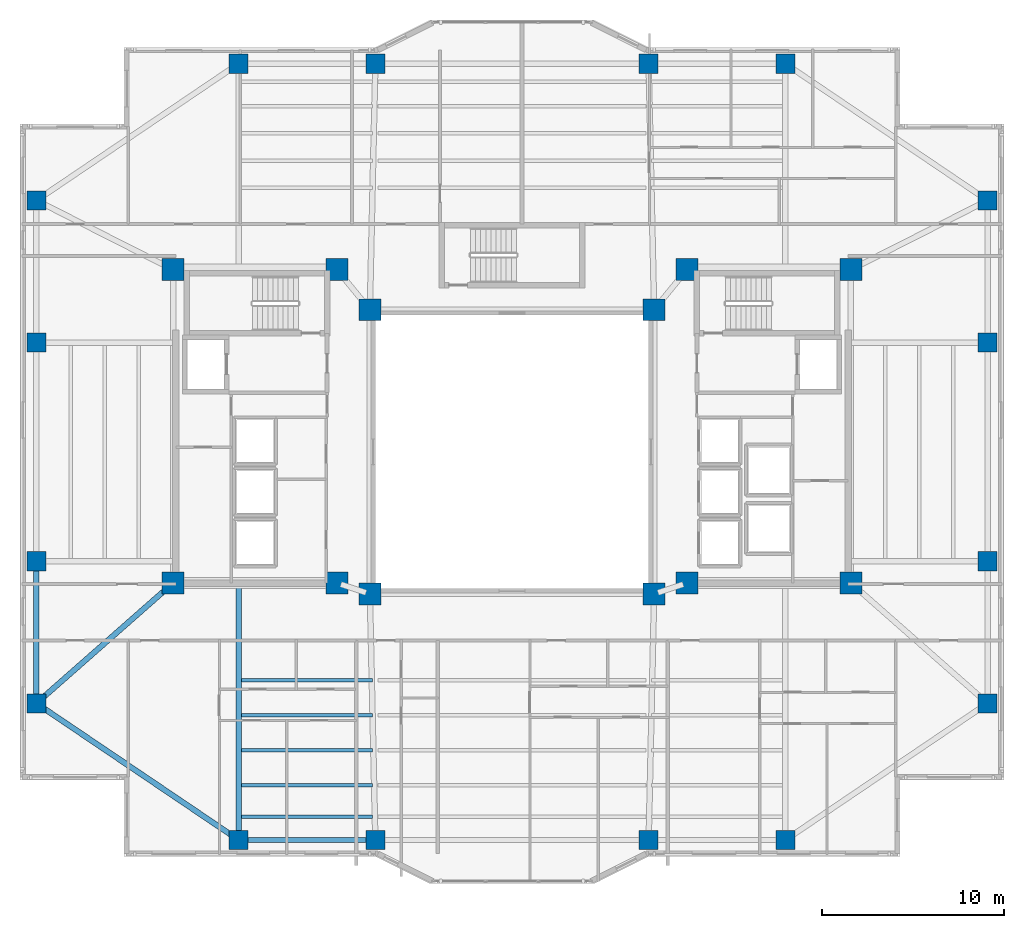
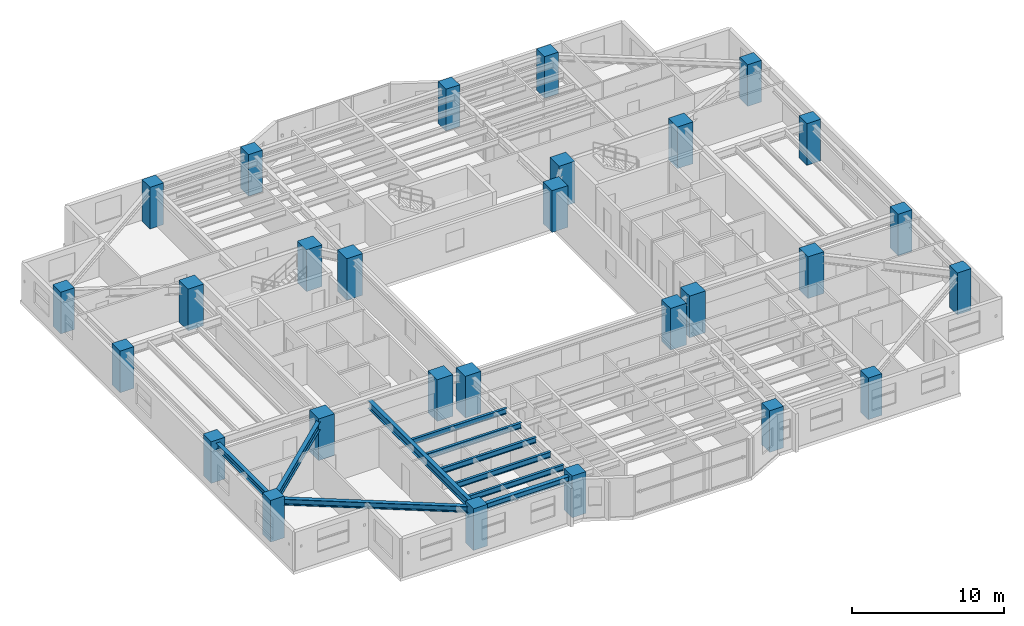
# One storey, part 1 of 18: 28 columns, 10 beams.
"""IFC4 building model written with IfcOpenShell, lengths in metres."""

from ifc_helpers import new_model, si_unit, direction, frame, origin, origin_2d, place, context, subcontext, project, spatial, rectangle, i_section, extrude, material, material_profile, profile_set, type_object, element, save


model = new_model("IFC4")

# Units and contexts
model_context = context("Model", 3, precision=1e-05, world=origin(), true_north=direction((0.0, 1.0)))
body_context = subcontext(model_context, "Body", "Model", "MODEL_VIEW")
ifc_project = project(units=[si_unit("LENGTHUNIT", "METRE"), si_unit("AREAUNIT", "SQUARE_METRE"), si_unit("VOLUMEUNIT", "CUBIC_METRE"), si_unit("PLANEANGLEUNIT", "RADIAN"), si_unit("MASSUNIT", "GRAM", prefix="KILO")], contexts=[model_context])

# Site, building, storey
site_placement = place(None, origin())
site = spatial("IfcSite", under=ifc_project, at=site_placement, CompositionType="ELEMENT")
building_placement = place(site_placement, origin())
building = spatial("IfcBuilding", under=site, at=building_placement, Name="Tarnavaz Court Tower", CompositionType="ELEMENT")
storey_placement = place(building_placement, frame((0.0, 0.0, 85.0)))
storey = spatial("IfcBuildingStorey", under=building, at=storey_placement, Name="L22", CompositionType="ELEMENT", Elevation=85.0)

# Columns
ifc_material_1 = material(Name="Concrete C60/75", Category="concrete")
ifc_material_profile_1 = material_profile(ifc_material_1, rectangle(XDim=1.050048828125, YDim=1.050048828125, at=origin_2d()), Name="RC 1050X1050")
ifc_profile_set_1 = profile_set([ifc_material_profile_1], Name="Concrete C60/75")
column_type_1 = type_object("IfcColumnType", Name="CL-RC1050", PredefinedType="COLUMN", material=ifc_profile_set_1)
for number, where, z_axis, x_axis, name in (
    (1, (-15.0, 21.300048828125, 0.0), (0.0, 0.0, 1.0), (1.0, 0.0, 0.0), "L22 Column PN-1"),
    (2, (-7.5, 21.300048828125, 0.0), (0.0, 0.0, 1.0), (1.0, 0.0, 0.0), "L22 Column PN-2"),
    (3, (7.5, 21.300048828125, 0.0), (0.0, 0.0, 1.0), (1.0, 0.0, 0.0), "L22 Column PN-3"),
    (4, (15.0, 21.300048828125, 0.0), (0.0, 0.0, 1.0), (1.0, 0.0, 0.0), "L22 Column PN-4"),
    (5, (-15.0, -21.300048828125, 0.0), (0.0, 0.0, 1.0), (1.0, 0.0, 0.0), "L22 Column PS-1"),
    (6, (-7.5, -21.300048828125, 0.0), (0.0, 0.0, 1.0), (1.0, 0.0, 0.0), "L22 Column PS-2"),
    (7, (7.5, -21.300048828125, 0.0), (0.0, 0.0, 1.0), (1.0, 0.0, 0.0), "L22 Column PS-3"),
    (8, (15.0, -21.300048828125, 0.0), (0.0, 0.0, 1.0), (1.0, 0.0, 0.0), "L22 Column PS-4"),
    (9, (26.10009765625, -13.800048828125, 0.0), (0.0, 0.0, 1.0), (1.0, 0.0, 0.0), "L22 Column PE-1"),
    (10, (26.10009765625, -6.0, 0.0), (0.0, 0.0, 1.0), (1.0, 0.0, 0.0), "L22 Column PE-2"),
    (11, (26.10009765625, 6.0, 0.0), (0.0, 0.0, 1.0), (1.0, 0.0, 0.0), "L22 Column PE-3"),
    (12, (26.10009765625, 13.800048828125, 0.0), (0.0, 0.0, 1.0), (1.0, 0.0, 0.0), "L22 Column PE-4"),
    (13, (-26.10009765625, -13.800048828125, 0.0), (0.0, 0.0, 1.0), (1.0, 0.0, 0.0), "L22 Column PW-1"),
    (14, (-26.10009765625, -6.0, 0.0), (0.0, 0.0, 1.0), (1.0, 0.0, 0.0), "L22 Column PW-2"),
    (15, (-26.10009765625, 6.0, 0.0), (0.0, 0.0, 1.0), (1.0, 0.0, 0.0), "L22 Column PW-3"),
    (16, (-26.10009765625, 13.800048828125, 0.0), (0.0, 0.0, 1.0), (1.0, 0.0, 0.0), "L22 Column PW-4"),
):
    element("IfcColumn", number, at=place(storey_placement, frame(where, z_axis=z_axis, x_axis=x_axis)), inside=storey, type_object=column_type_1, Name=name, PredefinedType="COLUMN", context=body_context, shape_type="SweptSolid", body=[
        extrude(rectangle(XDim=1.050048828125, YDim=1.050048828125, at=origin_2d()), origin(), (0.0, 0.0, 1.0), 3.35009765625),
    ])
ifc_material_profile_2 = material_profile(ifc_material_1, rectangle(XDim=1.199951171875, YDim=1.199951171875, at=origin_2d()), Name="RC 1200X1200")
ifc_profile_set_2 = profile_set([ifc_material_profile_2], Name="Concrete C60/75")
column_type_2 = type_object("IfcColumnType", Name="CL-RC1200", PredefinedType="COLUMN", material=ifc_profile_set_2)
for number, where, z_axis, x_axis, name in (
    (17, (-7.800048828125, -7.800048828125, 0.0), (0.0, 0.0, 1.0), (1.0, 0.0, 0.0), "L22 Column IW-SW"),
    (18, (7.800048828125, -7.800048828125, 0.0), (0.0, 0.0, 1.0), (1.0, 0.0, 0.0), "L22 Column IW-SE"),
    (19, (-7.800048828125, 7.800048828125, 0.0), (0.0, 0.0, 1.0), (1.0, 0.0, 0.0), "L22 Column IW-NW"),
    (20, (7.800048828125, 7.800048828125, 0.0), (0.0, 0.0, 1.0), (1.0, 0.0, 0.0), "L22 Column IW-NE"),
    (21, (-9.60009765625, -7.199951171875, 0.0), (0.0, 0.0, 1.0), (1.0, 0.0, 0.0), "L22 Column CW-SI"),
    (22, (-9.60009765625, 10.0, 0.0), (0.0, 0.0, 1.0), (1.0, 0.0, 0.0), "L22 Column CW-NI"),
    (23, (9.60009765625, -7.199951171875, 0.0), (0.0, 0.0, 1.0), (1.0, 0.0, 0.0), "L22 Column CE-SI"),
    (24, (9.60009765625, 10.0, 0.0), (0.0, 0.0, 1.0), (1.0, 0.0, 0.0), "L22 Column CE-NI"),
    (25, (-18.60009765625, -7.199951171875, 0.0), (0.0, 0.0, 1.0), (1.0, 0.0, 0.0), "L22 Column CW-SO"),
    (26, (-18.60009765625, 10.0, 0.0), (0.0, 0.0, 1.0), (1.0, 0.0, 0.0), "L22 Column CW-NO"),
    (27, (18.60009765625, -7.199951171875, 0.0), (0.0, 0.0, 1.0), (1.0, 0.0, 0.0), "L22 Column CE-SO"),
    (28, (18.60009765625, 10.0, 0.0), (0.0, 0.0, 1.0), (1.0, 0.0, 0.0), "L22 Column CE-NO"),
):
    element("IfcColumn", number, at=place(storey_placement, frame(where, z_axis=z_axis, x_axis=x_axis)), inside=storey, type_object=column_type_2, Name=name, PredefinedType="COLUMN", context=body_context, shape_type="SweptSolid", body=[
        extrude(rectangle(XDim=1.199951171875, YDim=1.199951171875, at=origin_2d()), origin(), (0.0, 0.0, 1.0), 3.35009765625),
    ])

# Beams
ifc_material_2 = material(Name="Steel S355", Category="steel")
ifc_material_profile_3 = material_profile(ifc_material_2, i_section(OverallWidth=0.300048828125, OverallDepth=0.64990234375, WebThickness=0.01611328125, FlangeThickness=0.031005859375, FilletRadius=0.027099609375, at=origin_2d()), Name="HEB 650")
ifc_profile_set_3 = profile_set([ifc_material_profile_3], Name="Steel S355")
beam_type_1 = type_object("IfcBeamType", Name="BM-G-HEB650", PredefinedType="USERDEFINED", material=ifc_profile_set_3)
beam_1_placement = place(storey_placement, frame((-15.0, -7.239990234375, 2.77490234375), z_axis=(0.0, -1.0, 0.0), x_axis=(1.0, 0.0, 0.0)))
element("IfcBeam", 29, at=beam_1_placement, inside=storey, type_object=beam_type_1, Name="L22 Beam RG-05", ObjectType="GIRDER", PredefinedType="USERDEFINED", context=body_context, shape_type="SweptSolid", body=[
    extrude(i_section(OverallWidth=0.300048828125, OverallDepth=0.64990234375, WebThickness=0.01611328125, FlangeThickness=0.031005859375, FilletRadius=0.027099609375, at=origin_2d()), origin(), (0.0, 0.0, 1.0), 13.840087890625),
])
beam_2_placement = place(storey_placement, frame((-18.76513671875, -7.34521484375, 2.77490234375), z_axis=(-0.750700332035, -0.660642877417, 0.0), x_axis=(0.660642877417, -0.750700332035, 0.0)))
element("IfcBeam", 30, at=beam_2_placement, inside=storey, type_object=beam_type_1, Name="L22 Beam RG-15", ObjectType="GIRDER", PredefinedType="USERDEFINED", context=body_context, shape_type="SweptSolid", body=[
    extrude(i_section(OverallWidth=0.300048828125, OverallDepth=0.64990234375, WebThickness=0.01611328125, FlangeThickness=0.031005859375, FilletRadius=0.027099609375, at=origin_2d()), origin(), (0.0, 0.0, 1.0), 9.550537109375),
])
ifc_material_profile_4 = material_profile(ifc_material_2, i_section(OverallWidth=0.18994140625, OverallDepth=0.449951171875, WebThickness=0.009521484375, FlangeThickness=0.0146484375, FilletRadius=0.02099609375, at=origin_2d()), Name="IPE 450")
ifc_profile_set_4 = profile_set([ifc_material_profile_4], Name="Steel S355")
beam_type_2 = type_object("IfcBeamType", Name="BM-J-IPE450", PredefinedType="JOIST", material=ifc_profile_set_4)
for number, where, z_axis, x_axis, name in (
    (31, (-14.85009765625, -12.52587890625, 2.875), (1.0, 0.0, 0.0), (0.0, 1.0, 0.0), "L22 Beam JS1-1"),
    (32, (-14.85009765625, -14.451904296875, 2.875), (1.0, 0.0, 0.0), (0.0, 1.0, 0.0), "L22 Beam JS2-1"),
    (33, (-14.85009765625, -16.3779296875, 2.875), (1.0, 0.0, 0.0), (0.0, 1.0, 0.0), "L22 Beam JS3-1"),
    (34, (-14.85009765625, -18.303955078125, 2.875), (1.0, 0.0, 0.0), (0.0, 1.0, 0.0), "L22 Beam JS4-1"),
    (35, (-14.85009765625, -20.01611328125, 2.875), (1.0, 0.0, 0.0), (0.0, 1.0, 0.0), "L22 Beam JS5-1"),
):
    element("IfcBeam", number, at=place(storey_placement, frame(where, z_axis=z_axis, x_axis=x_axis)), inside=storey, type_object=beam_type_2, Name=name, PredefinedType="JOIST", context=body_context, shape_type="SweptSolid", body=[
        extrude(i_section(OverallWidth=0.18994140625, OverallDepth=0.449951171875, WebThickness=0.009521484375, FlangeThickness=0.0146484375, FilletRadius=0.02099609375, at=origin_2d()), origin(), (0.0, 0.0, 1.0), 7.2001953125),
    ])
ifc_material_profile_5 = material_profile(ifc_material_2, i_section(OverallWidth=0.300048828125, OverallDepth=0.489990234375, WebThickness=0.011962890625, FlangeThickness=0.02294921875, FilletRadius=0.027099609375, at=origin_2d()), Name="HEA 500")
ifc_profile_set_5 = profile_set([ifc_material_profile_5], Name="Steel S355")
beam_type_3 = type_object("IfcBeamType", Name="BM-SP-HEA500", PredefinedType="SPANDREL", material=ifc_profile_set_5)
beam_3_placement = place(storey_placement, frame((-14.780029296875, -21.300048828125, 2.85498046875), z_axis=(1.0, 0.0, 0.0), x_axis=(0.0, 1.0, 0.0)))
element("IfcBeam", 36, at=beam_3_placement, inside=storey, type_object=beam_type_3, Name="L22 Beam PR-PS-1-PS-2", PredefinedType="SPANDREL", context=body_context, shape_type="SweptSolid", body=[
    extrude(i_section(OverallWidth=0.300048828125, OverallDepth=0.489990234375, WebThickness=0.011962890625, FlangeThickness=0.02294921875, FilletRadius=0.027099609375, at=origin_2d()), origin(), (0.0, 0.0, 1.0), 7.06005859375),
])
beam_4_placement = place(storey_placement, frame((-26.10009765625, -13.580078125, 2.85498046875), z_axis=(0.0, 1.0, 0.0), x_axis=(-1.0, 0.0, 0.0)))
element("IfcBeam", 37, at=beam_4_placement, inside=storey, type_object=beam_type_3, Name="L22 Beam PR-PW-1-PW-2", PredefinedType="SPANDREL", context=body_context, shape_type="SweptSolid", body=[
    extrude(i_section(OverallWidth=0.300048828125, OverallDepth=0.489990234375, WebThickness=0.011962890625, FlangeThickness=0.02294921875, FilletRadius=0.027099609375, at=origin_2d()), origin(), (0.0, 0.0, 1.0), 7.360107421875),
])
beam_5_placement = place(storey_placement, frame((-15.182373046875, -21.1767578125, 2.85498046875), z_axis=(-0.828587314918, 0.559859858854, 0.0), x_axis=(-0.559859858854, -0.828587314918, 0.0)))
element("IfcBeam", 38, at=beam_5_placement, inside=storey, type_object=beam_type_3, Name="L22 Beam PR-PS-1-PW-1", PredefinedType="SPANDREL", context=body_context, shape_type="SweptSolid", body=[
    extrude(i_section(OverallWidth=0.300048828125, OverallDepth=0.489990234375, WebThickness=0.011962890625, FlangeThickness=0.02294921875, FilletRadius=0.027099609375, at=origin_2d()), origin(), (0.0, 0.0, 1.0), 12.956298828125),
])

save(model, "model.ifc")
